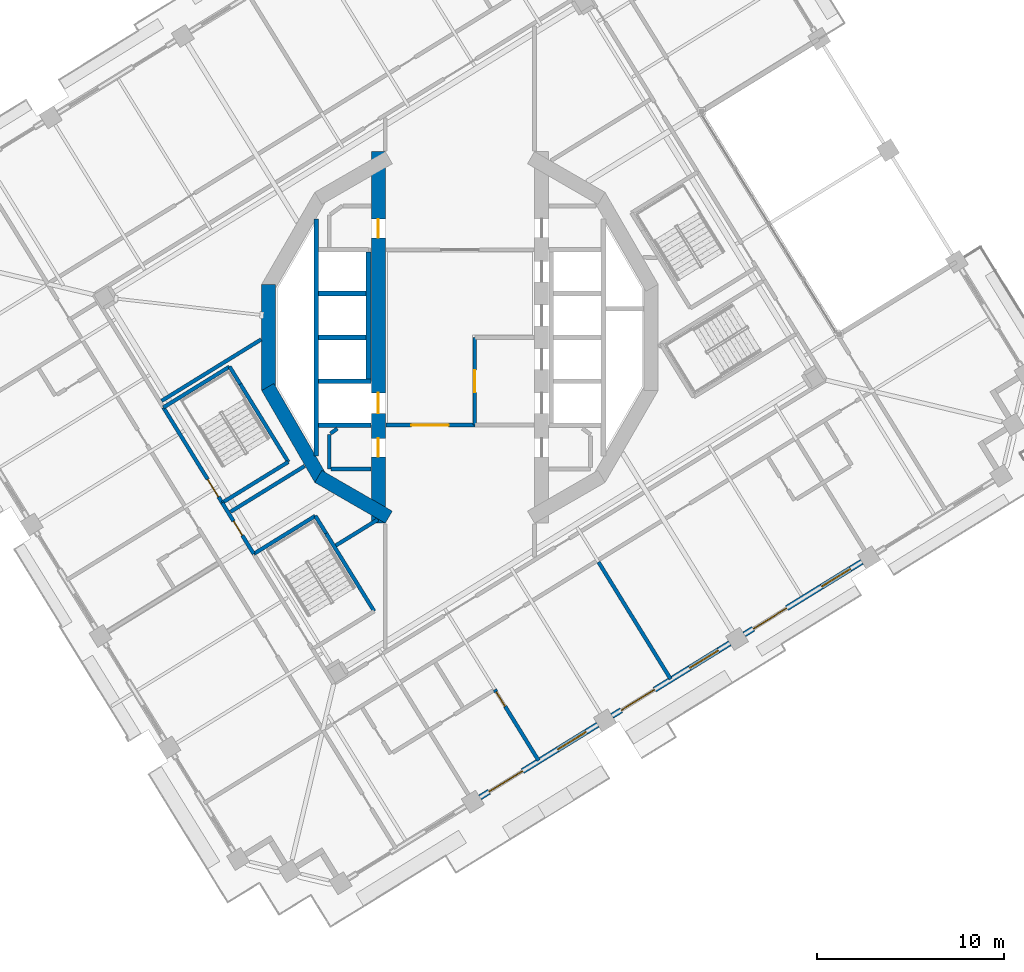
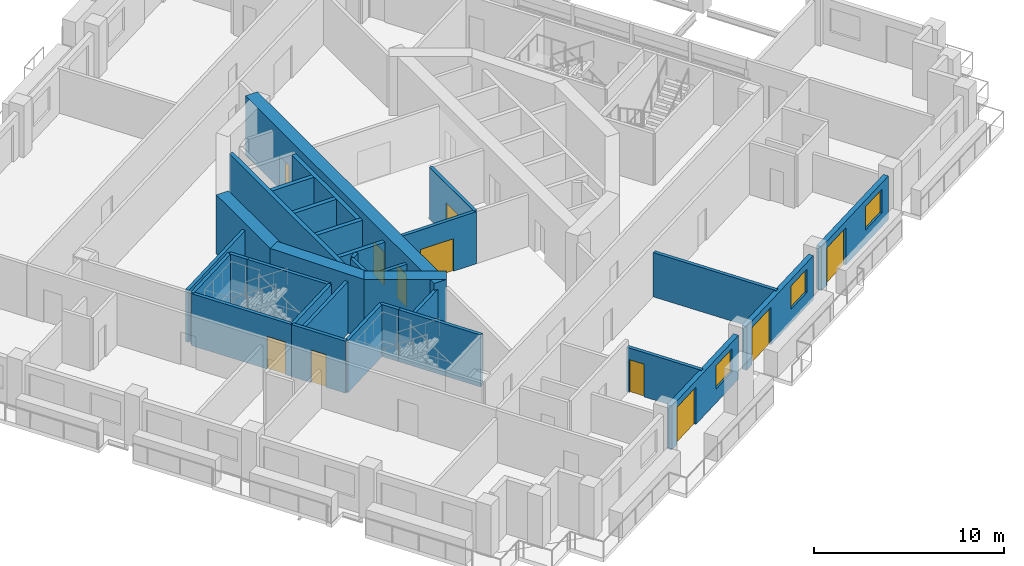
# One storey, part 8 of 21: 32 walls, 11 doors, 3 windows, 14 openings.
"""IFC4 building model written with IfcOpenShell, lengths in metres."""

from ifc_helpers import new_model, si_unit, direction, frame, frame_2d, origin, place, context, subcontext, project, spatial, rectangle, extrude, material, layer, layer_set, type_object, element, fill, save


model = new_model("IFC4")

# Units and contexts
model_context = context("Model", 3, precision=1e-05, world=origin(), true_north=direction((0.0, 1.0)))
body_context = subcontext(model_context, "Body", "Model", "MODEL_VIEW")
ifc_project = project(units=[si_unit("LENGTHUNIT", "METRE"), si_unit("AREAUNIT", "SQUARE_METRE"), si_unit("VOLUMEUNIT", "CUBIC_METRE"), si_unit("PLANEANGLEUNIT", "RADIAN"), si_unit("MASSUNIT", "GRAM", prefix="KILO")], contexts=[model_context])

# Site, building, storey
site_placement = place(None, origin())
site = spatial("IfcSite", under=ifc_project, at=site_placement, CompositionType="ELEMENT")
building_placement = place(site_placement, origin())
building = spatial("IfcBuilding", under=site, at=building_placement, Name="Cantera Rosa Tower", CompositionType="ELEMENT")
storey_placement = place(building_placement, frame((0.0, 0.0, 185.60009765625)))
storey = spatial("IfcBuildingStorey", under=building, at=storey_placement, Name="L41", CompositionType="ELEMENT", Elevation=185.60009765625)

# Wall, opening, door
ifc_material_1 = material(Name="Gypsum board partition")
ifc_layer_1 = layer(ifc_material_1, 0.199951171875)
ifc_layer_set_1 = layer_set([ifc_layer_1], Name="CORRIDOR WALL 200 H3350")
wall_type_1 = type_object("IfcWallType", Name="CORRIDOR WALL 200 H3350", PredefinedType="PARTITIONING", material=ifc_layer_set_1)
wall_1_placement = place(storey_placement, frame((-12.74560546875, -8.861328125, 0.0), z_axis=(0.0, 0.0, 1.0), x_axis=(0.524959112102, -0.851127446756, 0.0)))
wall_1 = element("IfcWall", 1, at=wall_1_placement, inside=storey, type_object=wall_type_1, Name="CORRIDOR WALL L41-017", PredefinedType="PARTITIONING", context=body_context, shape_type="SweptSolid", body=[
    extrude(rectangle(XDim=3.223876953125, YDim=0.199951171875, at=frame_2d((1.61181640625, 0.0))), origin(), (0.0, 0.0, 1.0), 3.349853515625),
])
opening_1_placement = place(wall_1_placement, frame((1.16455078125, 0.0, 0.0)))
opening_1 = element("IfcOpeningElement", 2, at=opening_1_placement, cuts=wall_1, Name="Opening L41-008", PredefinedType="OPENING", context=body_context, shape_type="SweptSolid", body=[
    extrude(rectangle(XDim=0.89990234375, YDim=2.10009765625, at=frame_2d((0.449951171875, 1.050048828125))), frame((0.0, 0.10986328125, 0.0), z_axis=(0.0, -1.0, 0.0), x_axis=(1.0, 0.0, 0.0)), (0.0, 0.0, 1.0), 0.219970703125),
])
ifc_material_2 = material(Name="Timber door leaf", Category="wood")
door_type_1 = type_object("IfcDoorType", Name="SERVICE DOOR 900x2100", OperationType="NOTDEFINED", PredefinedType="DOOR", material=ifc_material_2)
door_1_placement = place(opening_1_placement, origin())
door_1 = element("IfcDoor", 3, at=door_1_placement, inside=storey, type_object=door_type_1, Name="DOOR L41-008", OperationType="NOTDEFINED", OverallHeight=2.10009765625, OverallWidth=0.89990234375, PredefinedType="DOOR", context=body_context, shape_type="SweptSolid", body=[
    extrude(rectangle(XDim=0.89990234375, YDim=2.10009765625, at=frame_2d((0.449951171875, 1.050048828125))), frame((0.0, 0.02490234375, 0.0), z_axis=(0.0, -1.0, 0.0), x_axis=(1.0, 0.0, 0.0)), (0.0, 0.0, 1.0), 0.050048828125),
])
fill(opening_1, door_1)

wall_2_placement = place(storey_placement, frame((0.800048828125, -4.699951171875, 0.0), z_axis=(0.0, 0.0, 1.0), x_axis=(-1.0, 0.0, 0.0)))
wall_2 = element("IfcWall", 4, at=wall_2_placement, inside=storey, type_object=wall_type_1, Name="CORRIDOR WALL L41-057", PredefinedType="PARTITIONING", context=body_context, shape_type="SweptSolid", body=[
    extrude(rectangle(XDim=4.77001953125, YDim=0.199951171875, at=frame_2d((2.385009765625, 0.0))), origin(), (0.0, 0.0, 1.0), 3.349853515625),
])
opening_2_placement = place(wall_2_placement, frame((1.39990234375, 0.0, 0.0)))
opening_2 = element("IfcOpeningElement", 5, at=opening_2_placement, cuts=wall_2, Name="Opening L41-014", PredefinedType="OPENING", context=body_context, shape_type="SweptSolid", body=[
    extrude(rectangle(XDim=2.0, YDim=2.10009765625, at=frame_2d((1.0, 1.050048828125))), frame((0.0, 0.10986328125, 0.0), z_axis=(0.0, -1.0, 0.0), x_axis=(1.0, 0.0, 0.0)), (0.0, 0.0, 1.0), 0.219970703125),
])
ifc_material_3 = material(Name="Steel S355J2 (EN 10025-2)", Category="steel")
door_type_2 = type_object("IfcDoorType", Name="LOBBY SCREEN DOOR 2000x2100", OperationType="NOTDEFINED", PredefinedType="DOOR", material=ifc_material_3)
door_2_placement = place(opening_2_placement, origin())
door_2 = element("IfcDoor", 6, at=door_2_placement, inside=storey, type_object=door_type_2, Name="DOOR L41-014", OperationType="NOTDEFINED", OverallHeight=2.10009765625, OverallWidth=2.0, PredefinedType="DOOR", context=body_context, shape_type="SweptSolid", body=[
    extrude(rectangle(XDim=2.0, YDim=2.10009765625, at=frame_2d((1.0, 1.050048828125))), frame((0.0, 0.02490234375, 0.0), z_axis=(0.0, -1.0, 0.0), x_axis=(1.0, 0.0, 0.0)), (0.0, 0.0, 1.0), 0.050048828125),
])
fill(opening_2, door_2)

# Wall, openings, window, door
ifc_material_4 = material(Name="Hollow clay masonry with cantera stone cladding", Category="masonry")
ifc_layer_2 = layer(ifc_material_4, 0.300048828125)
ifc_layer_set_2 = layer_set([ifc_layer_2], Name="EW-LOGGIA 300 H2820")
wall_type_2 = type_object("IfcWallType", Name="EW-LOGGIA 300 H2820", PredefinedType="SOLIDWALL", material=ifc_layer_set_2)
wall_3_placement = place(storey_placement, frame((1.07421875, -24.656982421875, 0.0), z_axis=(0.0, 0.0, 1.0), x_axis=(0.85112578684, 0.524961803349, 0.0)))
wall_3 = element("IfcWall", 7, at=wall_3_placement, inside=storey, type_object=wall_type_2, Name="EN-L41-W23", PredefinedType="SOLIDWALL", context=body_context, shape_type="SweptSolid", body=[
    extrude(rectangle(XDim=7.420166015625, YDim=0.300048828125, at=frame_2d((3.7099609375, 0.0))), origin(), (0.0, 0.0, 1.0), 2.81982421875),
])
opening_3_placement = place(wall_3_placement, frame((0.580078125, 0.0, 0.0)))
opening_3 = element("IfcOpeningElement", 8, at=opening_3_placement, cuts=wall_3, Name="Opening L41-TD29", PredefinedType="OPENING", context=body_context, shape_type="SweptSolid", body=[
    extrude(rectangle(XDim=2.10009765625, YDim=2.39990234375, at=frame_2d((1.050048828125, 1.199951171875))), frame((0.0, 0.159912109375, 0.0), z_axis=(0.0, -1.0, 0.0), x_axis=(1.0, 0.0, 0.0)), (0.0, 0.0, 1.0), 0.320068359375),
])
opening_4_placement = place(wall_3_placement, frame((4.889892578125, 0.0, 0.89990234375)))
opening_4 = element("IfcOpeningElement", 9, at=opening_4_placement, cuts=wall_3, Name="Opening L41-W30", PredefinedType="OPENING", context=body_context, shape_type="SweptSolid", body=[
    extrude(rectangle(XDim=1.800048828125, YDim=1.5, at=frame_2d((0.89990234375, 0.75))), frame((0.0, 0.159912109375, 0.0), z_axis=(0.0, -1.0, 0.0), x_axis=(1.0, 0.0, 0.0)), (0.0, 0.0, 1.0), 0.320068359375),
])
ifc_material_5 = material(Name="Aluminium frame with clear glass", Category="aluminium")
window_type = type_object("IfcWindowType", Name="Hotel room window 1800x1500", PartitioningType="DOUBLE_PANEL_VERTICAL", PredefinedType="WINDOW", material=ifc_material_5)
window_1_placement = place(opening_4_placement, origin())
window_1 = element("IfcWindow", 10, at=window_1_placement, inside=storey, type_object=window_type, Name="WINDOW L41-W30", OverallHeight=1.5, OverallWidth=1.800048828125, PartitioningType="SINGLE_PANEL", PredefinedType="WINDOW", context=body_context, shape_type="SweptSolid", body=[
    extrude(rectangle(XDim=1.800048828125, YDim=1.5, at=frame_2d((0.89990234375, 0.75))), frame((0.0, 0.030029296875, 0.0), z_axis=(0.0, -1.0, 0.0), x_axis=(1.0, 0.0, 0.0)), (0.0, 0.0, 1.0), 0.06005859375),
])
fill(opening_4, window_1)
ifc_material_6 = material(Name="Aluminium frame with clear glass", Category="aluminium")
door_type_3 = type_object("IfcDoorType", Name="TD-H 2100x2400", OperationType="NOTDEFINED", PredefinedType="DOOR", material=ifc_material_6)
door_3_placement = place(opening_3_placement, origin())
door_3 = element("IfcDoor", 11, at=door_3_placement, inside=storey, type_object=door_type_3, Name="LOGGIA DOOR L41-TD29", OperationType="SLIDING_TO_LEFT", OverallHeight=2.39990234375, OverallWidth=2.10009765625, PredefinedType="DOOR", context=body_context, shape_type="SweptSolid", body=[
    extrude(rectangle(XDim=2.10009765625, YDim=2.39990234375, at=frame_2d((1.050048828125, 1.199951171875))), frame((0.0, 0.02490234375, 0.0), z_axis=(0.0, -1.0, 0.0), x_axis=(1.0, 0.0, 0.0)), (0.0, 0.0, 1.0), 0.050048828125),
])
fill(opening_3, door_3)

wall_4_placement = place(storey_placement, frame((8.155517578125, -20.289306640625, 0.0), z_axis=(0.0, 0.0, 1.0), x_axis=(0.851111085575, 0.524985637909, 0.0)))
wall_4 = element("IfcWall", 12, at=wall_4_placement, inside=storey, type_object=wall_type_2, Name="EN-L41-W24", PredefinedType="SOLIDWALL", context=body_context, shape_type="SweptSolid", body=[
    extrude(rectangle(XDim=7.420166015625, YDim=0.300048828125, at=frame_2d((3.7099609375, 0.0))), origin(), (0.0, 0.0, 1.0), 2.81982421875),
])
opening_5_placement = place(wall_4_placement, frame((0.580078125, 0.0, 0.0)))
opening_5 = element("IfcOpeningElement", 13, at=opening_5_placement, cuts=wall_4, Name="Opening L41-TD31", PredefinedType="OPENING", context=body_context, shape_type="SweptSolid", body=[
    extrude(rectangle(XDim=2.10009765625, YDim=2.39990234375, at=frame_2d((1.050048828125, 1.199951171875))), frame((0.0, 0.159912109375, 0.0), z_axis=(0.0, -1.0, 0.0), x_axis=(1.0, 0.0, 0.0)), (0.0, 0.0, 1.0), 0.320068359375),
])
opening_6_placement = place(wall_4_placement, frame((4.889892578125, 0.0, 0.89990234375)))
opening_6 = element("IfcOpeningElement", 14, at=opening_6_placement, cuts=wall_4, Name="Opening L41-W32", PredefinedType="OPENING", context=body_context, shape_type="SweptSolid", body=[
    extrude(rectangle(XDim=1.800048828125, YDim=1.5, at=frame_2d((0.89990234375, 0.75))), frame((0.0, 0.159912109375, 0.0), z_axis=(0.0, -1.0, 0.0), x_axis=(1.0, 0.0, 0.0)), (0.0, 0.0, 1.0), 0.320068359375),
])
window_2_placement = place(opening_6_placement, origin())
window_2 = element("IfcWindow", 15, at=window_2_placement, inside=storey, type_object=window_type, Name="WINDOW L41-W32", OverallHeight=1.5, OverallWidth=1.800048828125, PartitioningType="SINGLE_PANEL", PredefinedType="WINDOW", context=body_context, shape_type="SweptSolid", body=[
    extrude(rectangle(XDim=1.800048828125, YDim=1.5, at=frame_2d((0.89990234375, 0.75))), frame((0.0, 0.030029296875, 0.0), z_axis=(0.0, -1.0, 0.0), x_axis=(1.0, 0.0, 0.0)), (0.0, 0.0, 1.0), 0.06005859375),
])
fill(opening_6, window_2)
door_4_placement = place(opening_5_placement, origin())
door_4 = element("IfcDoor", 16, at=door_4_placement, inside=storey, type_object=door_type_3, Name="LOGGIA DOOR L41-TD31", OperationType="SLIDING_TO_LEFT", OverallHeight=2.39990234375, OverallWidth=2.10009765625, PredefinedType="DOOR", context=body_context, shape_type="SweptSolid", body=[
    extrude(rectangle(XDim=2.10009765625, YDim=2.39990234375, at=frame_2d((1.050048828125, 1.199951171875))), frame((0.0, 0.02490234375, 0.0), z_axis=(0.0, -1.0, 0.0), x_axis=(1.0, 0.0, 0.0)), (0.0, 0.0, 1.0), 0.050048828125),
])
fill(opening_5, door_4)

wall_5_placement = place(storey_placement, frame((15.23681640625, -15.92138671875, 0.0), z_axis=(0.0, 0.0, 1.0), x_axis=(0.85112578684, 0.524961803349, 0.0)))
wall_5 = element("IfcWall", 17, at=wall_5_placement, inside=storey, type_object=wall_type_2, Name="EN-L41-W25", PredefinedType="SOLIDWALL", context=body_context, shape_type="SweptSolid", body=[
    extrude(rectangle(XDim=7.420166015625, YDim=0.300048828125, at=frame_2d((3.7099609375, 0.0))), origin(), (0.0, 0.0, 1.0), 2.81982421875),
])
opening_7_placement = place(wall_5_placement, frame((0.580078125, 0.0, 0.0)))
opening_7 = element("IfcOpeningElement", 18, at=opening_7_placement, cuts=wall_5, Name="Opening L41-TD33", PredefinedType="OPENING", context=body_context, shape_type="SweptSolid", body=[
    extrude(rectangle(XDim=2.10009765625, YDim=2.39990234375, at=frame_2d((1.050048828125, 1.199951171875))), frame((0.0, 0.159912109375, 0.0), z_axis=(0.0, -1.0, 0.0), x_axis=(1.0, 0.0, 0.0)), (0.0, 0.0, 1.0), 0.320068359375),
])
opening_8_placement = place(wall_5_placement, frame((4.889892578125, 0.0, 0.89990234375)))
opening_8 = element("IfcOpeningElement", 19, at=opening_8_placement, cuts=wall_5, Name="Opening L41-W34", PredefinedType="OPENING", context=body_context, shape_type="SweptSolid", body=[
    extrude(rectangle(XDim=1.800048828125, YDim=1.5, at=frame_2d((0.89990234375, 0.75))), frame((0.0, 0.159912109375, 0.0), z_axis=(0.0, -1.0, 0.0), x_axis=(1.0, 0.0, 0.0)), (0.0, 0.0, 1.0), 0.320068359375),
])
window_3_placement = place(opening_8_placement, origin())
window_3 = element("IfcWindow", 20, at=window_3_placement, inside=storey, type_object=window_type, Name="WINDOW L41-W34", OverallHeight=1.5, OverallWidth=1.800048828125, PartitioningType="SINGLE_PANEL", PredefinedType="WINDOW", context=body_context, shape_type="SweptSolid", body=[
    extrude(rectangle(XDim=1.800048828125, YDim=1.5, at=frame_2d((0.89990234375, 0.75))), frame((0.0, 0.030029296875, 0.0), z_axis=(0.0, -1.0, 0.0), x_axis=(1.0, 0.0, 0.0)), (0.0, 0.0, 1.0), 0.06005859375),
])
fill(opening_8, window_3)
door_5_placement = place(opening_7_placement, origin())
door_5 = element("IfcDoor", 21, at=door_5_placement, inside=storey, type_object=door_type_3, Name="LOGGIA DOOR L41-TD33", OperationType="SLIDING_TO_LEFT", OverallHeight=2.39990234375, OverallWidth=2.10009765625, PredefinedType="DOOR", context=body_context, shape_type="SweptSolid", body=[
    extrude(rectangle(XDim=2.10009765625, YDim=2.39990234375, at=frame_2d((1.050048828125, 1.199951171875))), frame((0.0, 0.02490234375, 0.0), z_axis=(0.0, -1.0, 0.0), x_axis=(1.0, 0.0, 0.0)), (0.0, 0.0, 1.0), 0.050048828125),
])
fill(opening_7, door_5)

# Wall, opening, door
ifc_material_7 = material(Name="Gypsum board partition")
ifc_layer_3 = layer(ifc_material_7, 0.199951171875)
ifc_layer_set_3 = layer_set([ifc_layer_3], Name="PARTITION 200 H2850")
wall_type_3 = type_object("IfcWallType", Name="PARTITION 200 H2850", PredefinedType="PARTITIONING", material=ifc_layer_set_3)
wall_6_placement = place(storey_placement, frame((1.86962890625, -18.87939453125, 0.0), z_axis=(0.0, 0.0, 1.0), x_axis=(0.524986965499, -0.851110266685, 0.0)))
wall_6 = element("IfcWall", 22, at=wall_6_placement, inside=storey, type_object=wall_type_3, Name="PARTITION L41-062", PredefinedType="PARTITIONING", context=body_context, shape_type="SweptSolid", body=[
    extrude(rectangle(XDim=4.469970703125, YDim=0.199951171875, at=frame_2d((2.23486328125, 0.0))), origin(), (0.0, 0.0, 1.0), 2.849853515625),
])
opening_9_placement = place(wall_6_placement, frame((0.14990234375, 0.0, 0.0)))
opening_9 = element("IfcOpeningElement", 23, at=opening_9_placement, cuts=wall_6, Name="Opening L41-037", PredefinedType="OPENING", context=body_context, shape_type="SweptSolid", body=[
    extrude(rectangle(XDim=0.89990234375, YDim=2.10009765625, at=frame_2d((0.449951171875, 1.050048828125))), frame((0.0, 0.10986328125, 0.0), z_axis=(0.0, -1.0, 0.0), x_axis=(1.0, 0.0, 0.0)), (0.0, 0.0, 1.0), 0.219970703125),
])
ifc_material_8 = material(Name="Timber door leaf", Category="wood")
door_type_4 = type_object("IfcDoorType", Name="ROOM DOOR 900x2100", OperationType="NOTDEFINED", PredefinedType="DOOR", material=ifc_material_8)
door_6_placement = place(opening_9_placement, origin())
door_6 = element("IfcDoor", 24, at=door_6_placement, inside=storey, type_object=door_type_4, Name="DOOR L41-037", OperationType="NOTDEFINED", OverallHeight=2.10009765625, OverallWidth=0.89990234375, PredefinedType="DOOR", context=body_context, shape_type="SweptSolid", body=[
    extrude(rectangle(XDim=0.89990234375, YDim=2.10009765625, at=frame_2d((0.449951171875, 1.050048828125))), frame((0.0, 0.02490234375, 0.0), z_axis=(0.0, -1.0, 0.0), x_axis=(1.0, 0.0, 0.0)), (0.0, 0.0, 1.0), 0.050048828125),
])
fill(opening_9, door_6)

# Walls
ifc_material_9 = material(Name="Gypsum board partition")
ifc_layer_4 = layer(ifc_material_9, 0.199951171875)
ifc_layer_set_4 = layer_set([ifc_layer_4], Name="PARTITION 200 H3350")
wall_type_4 = type_object("IfcWallType", Name="PARTITION 200 H3350", PredefinedType="PARTITIONING", material=ifc_layer_set_4)
wall_7_placement = place(storey_placement, frame((-12.302734375, -9.350830078125, 0.0), z_axis=(0.0, 0.0, 1.0), x_axis=(0.851127330536, 0.524959300532, 0.0)))
element("IfcWall", 25, at=wall_7_placement, inside=storey, type_object=wall_type_4, Name="PARTITION L41-018", PredefinedType="PARTITIONING", context=body_context, shape_type="SweptSolid", body=[
    extrude(rectangle(XDim=4.6767578125, YDim=0.199951171875, at=frame_2d((2.33837890625, 0.0))), origin(), (0.0, 0.0, 1.0), 3.349853515625),
])
wall_8_placement = place(storey_placement, frame((-10.6552734375, -0.110107421875, 0.0), z_axis=(0.0, 0.0, 1.0), x_axis=(-0.851110010031, -0.524987381587, 0.0)))
element("IfcWall", 26, at=wall_8_placement, inside=storey, type_object=wall_type_4, Name="PARTITION L41-021", PredefinedType="PARTITIONING", context=body_context, shape_type="SweptSolid", body=[
    extrude(rectangle(XDim=6.2734375, YDim=0.199951171875, at=frame_2d((3.13671875, 0.0))), origin(), (0.0, 0.0, 1.0), 3.349853515625),
])
wall_9_placement = place(storey_placement, frame((-7.0, -7.050048828125, 0.0), z_axis=(0.0, 0.0, 1.0), x_axis=(0.0, 1.0, 0.0)))
element("IfcWall", 27, at=wall_9_placement, inside=storey, type_object=wall_type_4, Name="PARTITION L41-034", PredefinedType="PARTITIONING", context=body_context, shape_type="SweptSolid", body=[
    extrude(rectangle(XDim=1.85009765625, YDim=0.199951171875, at=frame_2d((0.925048828125, 0.0))), origin(), (0.0, 0.0, 1.0), 3.349853515625),
])
wall_10_placement = place(storey_placement, frame((-6.935302734375, -5.15283203125, 0.0), z_axis=(0.0, 0.0, 1.0), x_axis=(0.808147744029, 0.58897981614, 0.0)))
element("IfcWall", 28, at=wall_10_placement, inside=storey, type_object=wall_type_4, Name="PARTITION L41-035", PredefinedType="PARTITIONING", context=body_context, shape_type="SweptSolid", body=[
    extrude(rectangle(XDim=0.448974609375, YDim=0.199951171875, at=frame_2d((0.224609375, 0.0))), origin(), (0.0, 0.0, 1.0), 3.349853515625),
])
wall_11_placement = place(storey_placement, frame((-4.780029296875, -7.050048828125, 0.0), z_axis=(0.0, 0.0, 1.0), x_axis=(-1.0, 0.0, 0.0)))
element("IfcWall", 29, at=wall_11_placement, inside=storey, type_object=wall_type_4, Name="PARTITION L41-043", PredefinedType="PARTITIONING", context=body_context, shape_type="SweptSolid", body=[
    extrude(rectangle(XDim=2.139892578125, YDim=0.199951171875, at=frame_2d((1.06982421875, 0.0))), origin(), (0.0, 0.0, 1.0), 3.349853515625),
])
wall_12_placement = place(storey_placement, frame((-4.399658203125, -9.763427734375, 0.0), z_axis=(0.0, 0.0, 1.0), x_axis=(-0.851132424014, -0.524951042281, 0.0)))
element("IfcWall", 30, at=wall_12_placement, inside=storey, type_object=wall_type_4, Name="PARTITION L41-047", PredefinedType="PARTITIONING", context=body_context, shape_type="SweptSolid", body=[
    extrude(rectangle(XDim=2.648193359375, YDim=0.199951171875, at=frame_2d((1.32421875, 0.0))), origin(), (0.0, 0.0, 1.0), 3.349853515625),
])
ifc_material_10 = material(Name="Gypsum board partition")
ifc_layer_5 = layer(ifc_material_10, 0.199951171875)
ifc_layer_set_5 = layer_set([ifc_layer_5], Name="PARTY WALL 200 H2850")
wall_type_5 = type_object("IfcWallType", Name="PARTY WALL 200 H2850", PredefinedType="PARTITIONING", material=ifc_layer_set_5)
wall_13_placement = place(storey_placement, frame((7.428466796875, -12.043212890625, 0.0), z_axis=(0.0, 0.0, 1.0), x_axis=(0.52498429839, -0.851111911821, 0.0)))
element("IfcWall", 31, at=wall_13_placement, inside=storey, type_object=wall_type_5, Name="PARTY WALL L41-082", PredefinedType="PARTITIONING", context=body_context, shape_type="SweptSolid", body=[
    extrude(rectangle(XDim=7.3701171875, YDim=0.199951171875, at=frame_2d((3.68505859375, 0.0))), origin(), (0.0, 0.0, 1.0), 2.849853515625),
])
ifc_material_11 = material(Name="Concrete C60/75", Category="concrete")
ifc_layer_6 = layer(ifc_material_11, 0.75)
ifc_layer_set_6 = layer_set([ifc_layer_6], Name="RC CORE WALL 750 C60/75")
wall_type_6 = type_object("IfcWallType", Name="RC CORE WALL 750 C60/75", PredefinedType="SHEAR", material=ifc_layer_set_6)
wall_14_placement = place(storey_placement, frame((-3.8125, -9.634765625, 0.0), z_axis=(0.0, 0.0, 1.0), x_axis=(-0.866013176292, 0.50002117804, 0.0)))
element("IfcWall", 32, at=wall_14_placement, inside=storey, type_object=wall_type_6, Name="CW-W1 L41", PredefinedType="SHEAR", context=body_context, shape_type="SweptSolid", body=[
    extrude(rectangle(XDim=4.362548828125, YDim=0.75, at=frame_2d((2.18115234375, 0.0))), origin(), (0.0, 0.0, 1.0), 3.7998046875),
])
wall_15_placement = place(storey_placement, frame((-7.453369140625, -7.590576171875, 0.0), z_axis=(0.0, 0.0, 1.0), x_axis=(-0.500021842983, 0.866012792365, 0.0)))
element("IfcWall", 33, at=wall_15_placement, inside=storey, type_object=wall_type_6, Name="CW-W2 L41", PredefinedType="SHEAR", context=body_context, shape_type="SweptSolid", body=[
    extrude(rectangle(XDim=5.694091796875, YDim=0.75, at=frame_2d((2.84716796875, 0.0))), origin(), (0.0, 0.0, 1.0), 3.7998046875),
])
wall_16_placement = place(storey_placement, frame((-10.250244140625, -2.846923828125, 0.0), z_axis=(0.0, 0.0, 1.0), x_axis=(0.0, 1.0, 0.0)))
element("IfcWall", 34, at=wall_16_placement, inside=storey, type_object=wall_type_6, Name="CW-W3 L41", PredefinedType="SHEAR", context=body_context, shape_type="SweptSolid", body=[
    extrude(rectangle(XDim=5.69384765625, YDim=0.75, at=frame_2d((2.846923828125, 0.0))), origin(), (0.0, 0.0, 1.0), 3.7998046875),
])

# Wall, openings, doors
wall_17_placement = place(storey_placement, frame((-4.375, 9.95947265625, 0.0), z_axis=(0.0, 0.0, 1.0), x_axis=(0.0, -1.0, 0.0)))
wall_17 = element("IfcWall", 35, at=wall_17_placement, inside=storey, type_object=wall_type_6, Name="CW-W6 L41", PredefinedType="SHEAR", context=body_context, shape_type="SweptSolid", body=[
    extrude(rectangle(XDim=19.9189453125, YDim=0.75, at=frame_2d((9.95947265625, 0.0))), origin(), (0.0, 0.0, 1.0), 3.7998046875),
])
opening_10_placement = place(wall_17_placement, frame((12.9345703125, 0.0, 0.0)))
opening_10 = element("IfcOpeningElement", 36, at=opening_10_placement, cuts=wall_17, Name="Opening LD-P3-L41", PredefinedType="OPENING", context=body_context, shape_type="SweptSolid", body=[
    extrude(rectangle(XDim=1.10009765625, YDim=2.10009765625, at=frame_2d((0.550048828125, 1.050048828125))), frame((0.0, 0.385009765625, 0.0), z_axis=(0.0, -1.0, 0.0), x_axis=(1.0, 0.0, 0.0)), (0.0, 0.0, 1.0), 0.77001953125),
])
opening_11_placement = place(wall_17_placement, frame((15.368408203125, 0.0, 0.0)))
opening_11 = element("IfcOpeningElement", 37, at=opening_11_placement, cuts=wall_17, Name="Opening SD-L41-16", PredefinedType="OPENING", context=body_context, shape_type="SweptSolid", body=[
    extrude(rectangle(XDim=1.0, YDim=2.10009765625, at=frame_2d((0.5, 1.050048828125))), frame((0.0, 0.385009765625, 0.0), z_axis=(0.0, -1.0, 0.0), x_axis=(1.0, 0.0, 0.0)), (0.0, 0.0, 1.0), 0.77001953125),
])
opening_12_placement = place(wall_17_placement, frame((3.618408203125, 0.0, 0.0)))
opening_12 = element("IfcOpeningElement", 38, at=opening_12_placement, cuts=wall_17, Name="Opening SD-L41-17", PredefinedType="OPENING", context=body_context, shape_type="SweptSolid", body=[
    extrude(rectangle(XDim=1.0, YDim=2.10009765625, at=frame_2d((0.5, 1.050048828125))), frame((0.0, 0.385009765625, 0.0), z_axis=(0.0, -1.0, 0.0), x_axis=(1.0, 0.0, 0.0)), (0.0, 0.0, 1.0), 0.77001953125),
])
ifc_material_12 = material(Name="Steel S355J2 (EN 10025-2)", Category="steel")
door_type_5 = type_object("IfcDoorType", Name="LANDING DOOR 1100x2100", OperationType="NOTDEFINED", PredefinedType="DOOR", material=ifc_material_12)
door_7_placement = place(opening_10_placement, origin())
door_7 = element("IfcDoor", 39, at=door_7_placement, inside=storey, type_object=door_type_5, Name="LANDING DOOR P3 L41", OperationType="SLIDING_TO_LEFT", OverallHeight=2.10009765625, OverallWidth=1.10009765625, PredefinedType="DOOR", context=body_context, shape_type="SweptSolid", body=[
    extrude(rectangle(XDim=1.10009765625, YDim=2.10009765625, at=frame_2d((0.550048828125, 1.050048828125))), frame((0.0, 0.02490234375, 0.0), z_axis=(0.0, -1.0, 0.0), x_axis=(1.0, 0.0, 0.0)), (0.0, 0.0, 1.0), 0.050048828125),
])
fill(opening_10, door_7)
ifc_material_13 = material(Name="Timber door leaf", Category="wood")
door_type_6 = type_object("IfcDoorType", Name="SERVICE DOOR 1000x2100", OperationType="NOTDEFINED", PredefinedType="DOOR", material=ifc_material_13)
door_8_placement = place(opening_11_placement, origin())
door_8 = element("IfcDoor", 40, at=door_8_placement, inside=storey, type_object=door_type_6, Name="DOOR L41-SD16", OperationType="NOTDEFINED", OverallHeight=2.10009765625, OverallWidth=1.0, PredefinedType="DOOR", context=body_context, shape_type="SweptSolid", body=[
    extrude(rectangle(XDim=1.0, YDim=2.10009765625, at=frame_2d((0.5, 1.050048828125))), frame((0.0, 0.02490234375, 0.0), z_axis=(0.0, -1.0, 0.0), x_axis=(1.0, 0.0, 0.0)), (0.0, 0.0, 1.0), 0.050048828125),
])
fill(opening_11, door_8)
door_9_placement = place(opening_12_placement, origin())
door_9 = element("IfcDoor", 41, at=door_9_placement, inside=storey, type_object=door_type_6, Name="DOOR L41-SD17", OperationType="NOTDEFINED", OverallHeight=2.10009765625, OverallWidth=1.0, PredefinedType="DOOR", context=body_context, shape_type="SweptSolid", body=[
    extrude(rectangle(XDim=1.0, YDim=2.10009765625, at=frame_2d((0.5, 1.050048828125))), frame((0.0, 0.02490234375, 0.0), z_axis=(0.0, -1.0, 0.0), x_axis=(1.0, 0.0, 0.0)), (0.0, 0.0, 1.0), 0.050048828125),
])
fill(opening_12, door_9)

# Walls
ifc_material_14 = material(Name="Masonry blockwork", Category="masonry")
ifc_layer_7 = layer(ifc_material_14, 0.25)
ifc_layer_set_7 = layer_set([ifc_layer_7], Name="SHAFT WALL 250 H3350")
wall_type_7 = type_object("IfcWallType", Name="SHAFT WALL 250 H3350", PredefinedType="SOLIDWALL", material=ifc_layer_set_7)
wall_18_placement = place(storey_placement, frame((-7.574951171875, -2.35009765625, 0.0), z_axis=(0.0, 0.0, 1.0), x_axis=(1.0, 0.0, 0.0)))
element("IfcWall", 42, at=wall_18_placement, inside=storey, type_object=wall_type_7, Name="SHAFT WALL L41-026", PredefinedType="SOLIDWALL", context=body_context, shape_type="SweptSolid", body=[
    extrude(rectangle(XDim=2.794921875, YDim=0.25, at=frame_2d((1.3974609375, 0.0))), origin(), (0.0, 0.0, 1.0), 3.349853515625),
])
for number, where, z_axis, x_axis, name in (
    (43, (-7.574951171875, 0.0, 0.0), (0.0, 0.0, 1.0), (1.0, 0.0, 0.0), "SHAFT WALL L41-027"),
    (44, (-7.574951171875, 2.35009765625, 0.0), (0.0, 0.0, 1.0), (1.0, 0.0, 0.0), "SHAFT WALL L41-028"),
):
    element("IfcWall", number, at=place(storey_placement, frame(where, z_axis=z_axis, x_axis=x_axis)), inside=storey, type_object=wall_type_7, Name=name, PredefinedType="SOLIDWALL", context=body_context, shape_type="SweptSolid", body=[
        extrude(rectangle(XDim=2.550048828125, YDim=0.25, at=frame_2d((1.27490234375, 0.0))), origin(), (0.0, 0.0, 1.0), 3.349853515625),
    ])
wall_19_placement = place(storey_placement, frame((-7.699951171875, 6.353515625, 0.0), z_axis=(0.0, 0.0, 1.0), x_axis=(0.0, -1.0, 0.0)))
element("IfcWall", 45, at=wall_19_placement, inside=storey, type_object=wall_type_7, Name="SHAFT WALL L41-030", PredefinedType="SOLIDWALL", context=body_context, shape_type="SweptSolid", body=[
    extrude(rectangle(XDim=12.70703125, YDim=0.25, at=frame_2d((6.353515625, 0.0))), origin(), (0.0, 0.0, 1.0), 3.349853515625),
])
wall_20_placement = place(storey_placement, frame((-4.89990234375, 4.580078125, 0.0), z_axis=(0.0, 0.0, 1.0), x_axis=(0.0, -1.0, 0.0)))
element("IfcWall", 46, at=wall_20_placement, inside=storey, type_object=wall_type_7, Name="SHAFT WALL L41-042", PredefinedType="SOLIDWALL", context=body_context, shape_type="SweptSolid", body=[
    extrude(rectangle(XDim=6.80517578125, YDim=0.25, at=frame_2d((3.402587890625, 0.0))), origin(), (0.0, 0.0, 1.0), 3.349853515625),
])
wall_21_placement = place(storey_placement, frame((-4.780029296875, -4.699951171875, 0.0), z_axis=(0.0, 0.0, 1.0), x_axis=(-1.0, 0.0, 0.0)))
element("IfcWall", 47, at=wall_21_placement, inside=storey, type_object=wall_type_7, Name="SHAFT WALL L41-044", PredefinedType="SOLIDWALL", context=body_context, shape_type="SweptSolid", body=[
    extrude(rectangle(XDim=2.794921875, YDim=0.25, at=frame_2d((1.3974609375, 0.0))), origin(), (0.0, 0.0, 1.0), 3.349853515625),
])

# Wall, opening, door
ifc_material_15 = material(Name="Concrete C50/60", Category="concrete")
ifc_layer_8 = layer(ifc_material_15, 0.199951171875)
ifc_layer_set_8 = layer_set([ifc_layer_8], Name="STAIR WALL 200 H3350")
wall_type_8 = type_object("IfcWallType", Name="STAIR WALL 200 H3350", PredefinedType="SOLIDWALL", material=ifc_layer_set_8)
wall_22_placement = place(storey_placement, frame((-15.8955078125, -3.754638671875, 0.0), z_axis=(0.0, 0.0, 1.0), x_axis=(0.524982543144, -0.851112994493, 0.0)))
wall_22 = element("IfcWall", 48, at=wall_22_placement, inside=storey, type_object=wall_type_8, Name="STAIR WALL L41-011", PredefinedType="SOLIDWALL", context=body_context, shape_type="SweptSolid", body=[
    extrude(rectangle(XDim=6.0, YDim=0.199951171875, at=frame_2d((3.0, 0.0))), origin(), (0.0, 0.0, 1.0), 3.349853515625),
])
opening_13_placement = place(wall_22_placement, frame((4.52490234375, 0.0, 0.0)))
opening_13 = element("IfcOpeningElement", 49, at=opening_13_placement, cuts=wall_22, Name="Opening L41-002", PredefinedType="OPENING", context=body_context, shape_type="SweptSolid", body=[
    extrude(rectangle(XDim=1.10009765625, YDim=2.10009765625, at=frame_2d((0.550048828125, 1.050048828125))), frame((0.0, 0.10986328125, 0.0), z_axis=(0.0, -1.0, 0.0), x_axis=(1.0, 0.0, 0.0)), (0.0, 0.0, 1.0), 0.219970703125),
])
ifc_material_16 = material(Name="Steel S355J2 (EN 10025-2)", Category="steel")
door_type_7 = type_object("IfcDoorType", Name="STAIR DOOR 1100x2100", OperationType="NOTDEFINED", PredefinedType="DOOR", material=ifc_material_16)
door_10_placement = place(opening_13_placement, origin())
door_10 = element("IfcDoor", 50, at=door_10_placement, inside=storey, type_object=door_type_7, Name="DOOR L41-002", OperationType="NOTDEFINED", OverallHeight=2.10009765625, OverallWidth=1.10009765625, PredefinedType="DOOR", context=body_context, shape_type="SweptSolid", body=[
    extrude(rectangle(XDim=1.10009765625, YDim=2.10009765625, at=frame_2d((0.550048828125, 1.050048828125))), frame((0.0, 0.02490234375, 0.0), z_axis=(0.0, -1.0, 0.0), x_axis=(1.0, 0.0, 0.0)), (0.0, 0.0, 1.0), 0.050048828125),
])
fill(opening_13, door_10)

# Walls
wall_23_placement = place(storey_placement, frame((-15.8955078125, -3.754638671875, 0.0), z_axis=(0.0, 0.0, 1.0), x_axis=(0.851120688733, 0.524970068871, 0.0)))
element("IfcWall", 51, at=wall_23_placement, inside=storey, type_object=wall_type_8, Name="STAIR WALL L41-012", PredefinedType="SOLIDWALL", context=body_context, shape_type="SweptSolid", body=[
    extrude(rectangle(XDim=4.16650390625, YDim=0.199951171875, at=frame_2d((2.083251953125, 0.0))), origin(), (0.0, 0.0, 1.0), 3.349853515625),
])
wall_24_placement = place(storey_placement, frame((-12.349365234375, -1.5673828125, 0.0), z_axis=(0.0, 0.0, 1.0), x_axis=(0.525162052325, -0.851002243709, 0.0)))
element("IfcWall", 52, at=wall_24_placement, inside=storey, type_object=wall_type_8, Name="STAIR WALL L41-019", PredefinedType="SOLIDWALL", context=body_context, shape_type="SweptSolid", body=[
    extrude(rectangle(XDim=1.099853515625, YDim=0.199951171875, at=frame_2d((0.5498046875, 0.0))), origin(), (0.0, 0.0, 1.0), 3.349853515625),
])
wall_25_placement = place(storey_placement, frame((-9.199462890625, -6.674072265625, 0.0), z_axis=(0.0, 0.0, 1.0), x_axis=(-0.851120688733, -0.524970068871, 0.0)))
element("IfcWall", 53, at=wall_25_placement, inside=storey, type_object=wall_type_8, Name="STAIR WALL L41-022", PredefinedType="SOLIDWALL", context=body_context, shape_type="SweptSolid", body=[
    extrude(rectangle(XDim=4.16650390625, YDim=0.199951171875, at=frame_2d((2.083251953125, 0.0))), origin(), (0.0, 0.0, 1.0), 3.349853515625),
])
wall_26_placement = place(storey_placement, frame((-7.749267578125, -9.5673828125, 0.0), z_axis=(0.0, 0.0, 1.0), x_axis=(-0.851124503894, -0.524963883397, 0.0)))
element("IfcWall", 54, at=wall_26_placement, inside=storey, type_object=wall_type_8, Name="STAIR WALL L41-025", PredefinedType="SOLIDWALL", context=body_context, shape_type="SweptSolid", body=[
    extrude(rectangle(XDim=3.8818359375, YDim=0.199951171875, at=frame_2d((1.94091796875, 0.0))), origin(), (0.0, 0.0, 1.0), 3.349853515625),
])
wall_27_placement = place(storey_placement, frame((-4.599365234375, -14.674072265625, 0.0), z_axis=(0.0, 0.0, 1.0), x_axis=(-0.524978338244, 0.85111558814, 0.0)))
element("IfcWall", 55, at=wall_27_placement, inside=storey, type_object=wall_type_8, Name="STAIR WALL L41-046", PredefinedType="SOLIDWALL", context=body_context, shape_type="SweptSolid", body=[
    extrude(rectangle(XDim=4.900146484375, YDim=0.199951171875, at=frame_2d((2.4501953125, 0.0))), origin(), (0.0, 0.0, 1.0), 3.349853515625),
])

# Wall, opening, door
wall_28_placement = place(storey_placement, frame((0.800048828125, -4.699951171875, 0.0), z_axis=(0.0, 0.0, 1.0), x_axis=(0.0, 1.0, 0.0)))
wall_28 = element("IfcWall", 56, at=wall_28_placement, inside=storey, type_object=wall_type_8, Name="STAIR WALL L41-058", PredefinedType="SOLIDWALL", context=body_context, shape_type="SweptSolid", body=[
    extrude(rectangle(XDim=4.699951171875, YDim=0.199951171875, at=frame_2d((2.35009765625, 0.0))), origin(), (0.0, 0.0, 1.0), 3.349853515625),
])
opening_14_placement = place(wall_28_placement, frame((1.75, 0.0, 0.0)))
opening_14 = element("IfcOpeningElement", 57, at=opening_14_placement, cuts=wall_28, Name="Opening L41-015", PredefinedType="OPENING", context=body_context, shape_type="SweptSolid", body=[
    extrude(rectangle(XDim=1.199951171875, YDim=2.10009765625, at=frame_2d((0.60009765625, 1.050048828125))), frame((0.0, 0.10986328125, 0.0), z_axis=(0.0, -1.0, 0.0), x_axis=(1.0, 0.0, 0.0)), (0.0, 0.0, 1.0), 0.219970703125),
])
ifc_material_17 = material(Name="Steel S355J2 (EN 10025-2)", Category="steel")
door_type_8 = type_object("IfcDoorType", Name="FIRE DOOR 1200x2100", OperationType="NOTDEFINED", PredefinedType="DOOR", material=ifc_material_17)
door_11_placement = place(opening_14_placement, origin())
door_11 = element("IfcDoor", 58, at=door_11_placement, inside=storey, type_object=door_type_8, Name="DOOR L41-015", OperationType="NOTDEFINED", OverallHeight=2.10009765625, OverallWidth=1.199951171875, PredefinedType="DOOR", context=body_context, shape_type="SweptSolid", body=[
    extrude(rectangle(XDim=1.199951171875, YDim=2.10009765625, at=frame_2d((0.60009765625, 1.050048828125))), frame((0.0, 0.02490234375, 0.0), z_axis=(0.0, -1.0, 0.0), x_axis=(1.0, 0.0, 0.0)), (0.0, 0.0, 1.0), 0.050048828125),
])
fill(opening_14, door_11)

# Walls
wall_29_placement = place(storey_placement, frame((-11.771728515625, -2.50341796875, 0.0), z_axis=(0.0, 0.0, 1.0), x_axis=(0.524942245614, -0.851137849452, 0.0)))
element("IfcWall", 59, at=wall_29_placement, inside=storey, type_object=wall_type_8, Name="STAIR WALL L41-019 J", PredefinedType="SOLIDWALL", context=body_context, shape_type="SweptSolid", body=[
    extrude(rectangle(XDim=4.900146484375, YDim=0.199951171875, at=frame_2d((2.4501953125, 0.0))), origin(), (0.0, 0.0, 1.0), 3.349853515625),
])
wall_30_placement = place(storey_placement, frame((-7.171875, -10.50341796875, 0.0), z_axis=(0.0, 0.0, 1.0), x_axis=(-0.52500127828, 0.851101438023, 0.0)))
element("IfcWall", 60, at=wall_30_placement, inside=storey, type_object=wall_type_8, Name="STAIR WALL L41-046 J", PredefinedType="SOLIDWALL", context=body_context, shape_type="SweptSolid", body=[
    extrude(rectangle(XDim=1.099853515625, YDim=0.199951171875, at=frame_2d((0.5498046875, 0.0))), origin(), (0.0, 0.0, 1.0), 3.349853515625),
])

save(model, "model.ifc")
